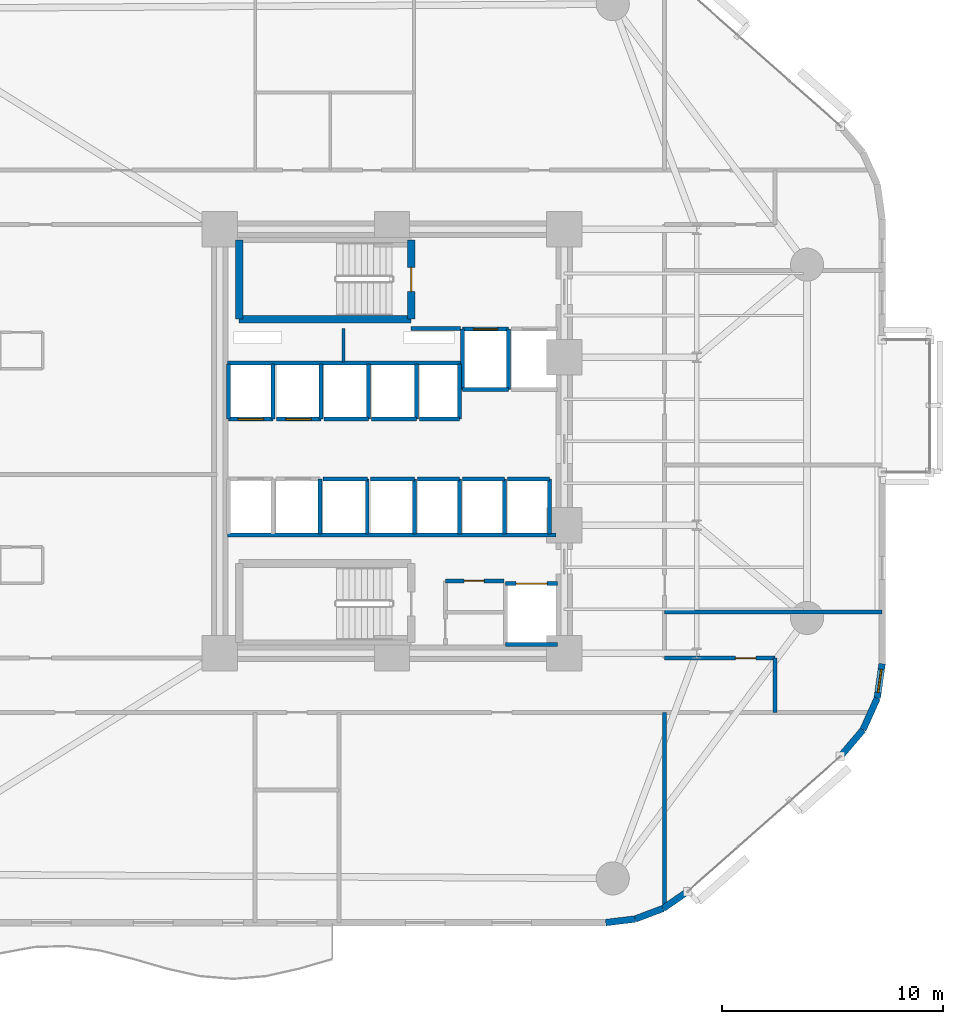
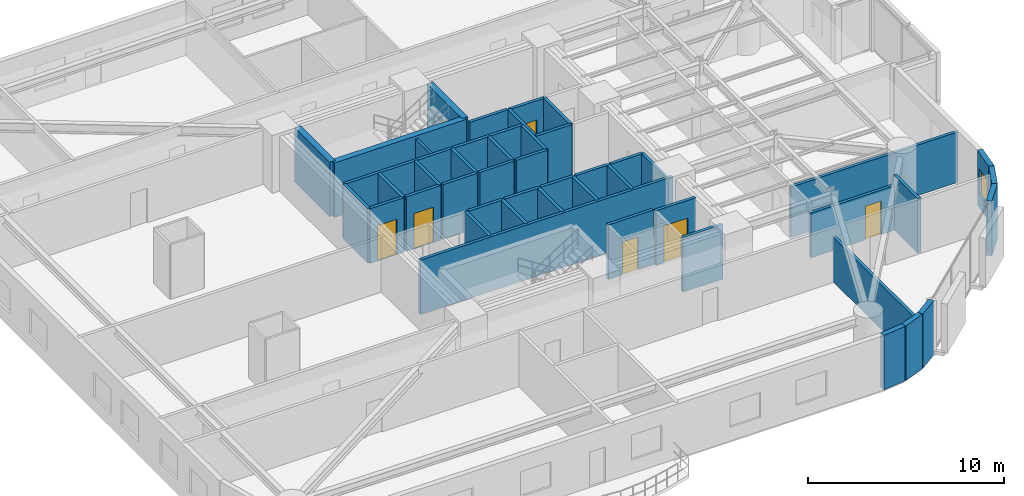
# One storey, part 11 of 16: 46 walls, 7 doors, 1 window, 8 openings.
"""IFC4 building model written with IfcOpenShell, lengths in metres."""

from ifc_helpers import new_model, si_unit, direction, frame, frame_2d, origin, place, context, subcontext, project, spatial, rectangle, extrude, material, layer, layer_set, type_object, element, fill, save


model = new_model("IFC4")

# Units and contexts
model_context = context("Model", 3, precision=1e-05, world=origin(), true_north=direction((0.0, 1.0)))
body_context = subcontext(model_context, "Body", "Model", "MODEL_VIEW")
ifc_project = project(units=[si_unit("LENGTHUNIT", "METRE"), si_unit("AREAUNIT", "SQUARE_METRE"), si_unit("VOLUMEUNIT", "CUBIC_METRE"), si_unit("PLANEANGLEUNIT", "RADIAN"), si_unit("MASSUNIT", "GRAM", prefix="KILO")], contexts=[model_context])

# Site, building, storey
site_placement = place(None, origin())
site = spatial("IfcSite", under=ifc_project, at=site_placement, CompositionType="ELEMENT")
building_placement = place(site_placement, origin())
building = spatial("IfcBuilding", under=site, at=building_placement, Name="An Khanh Terracotta Commons", CompositionType="ELEMENT")
storey_placement = place(building_placement, frame((0.0, 0.0, 46.800048828125)))
storey = spatial("IfcBuildingStorey", under=building, at=storey_placement, Name="L12", CompositionType="ELEMENT", Elevation=46.800048828125)

# Walls
ifc_material_1 = material(Name="Fire-Rated Gypsum Board on Steel Stud", Category="steel")
ifc_layer_1 = layer(ifc_material_1, 0.179931640625, Name="Fire-Rated Gypsum Board on Steel Stud")
ifc_layer_set_1 = layer_set([ifc_layer_1], Name="Fire-Rated Gypsum Board on Steel Stud")
wall_type_1 = type_object("IfcWallType", Name="WALL-CORR-180", PredefinedType="PARTITIONING", material=ifc_layer_set_1)
wall_1_placement = place(storey_placement, frame((30.27001953125, 29.1201171875, 0.0), z_axis=(0.0, 0.0, 1.0), x_axis=(1.0, 0.0, 0.0)))
element("IfcWall", 1, at=wall_1_placement, inside=storey, type_object=wall_type_1, Name="L12 Core Wall FFLW-L12-S", PredefinedType="PARTITIONING", context=body_context, shape_type="SweptSolid", body=[
    extrude(rectangle(XDim=2.239990234375, YDim=0.179931640625, at=frame_2d((1.1201171875, 0.0))), origin(), (0.0, 0.0, 1.0), 3.39990234375),
])
wall_2_placement = place(storey_placement, frame((21.949951171875, 27.5400390625, 0.0), z_axis=(0.0, 0.0, 1.0), x_axis=(1.0, 0.0, 0.0)))
element("IfcWall", 2, at=wall_2_placement, inside=storey, type_object=wall_type_1, Name="L12 Core Wall RSRW-L12-S", PredefinedType="PARTITIONING", context=body_context, shape_type="SweptSolid", body=[
    extrude(rectangle(XDim=10.56005859375, YDim=0.179931640625, at=frame_2d((5.280029296875, 0.0))), origin(), (0.0, 0.0, 1.0), 3.39990234375),
])
wall_3_placement = place(storey_placement, frame((21.949951171875, 19.760009765625, 0.0), z_axis=(0.0, 0.0, 1.0), x_axis=(1.0, 0.0, 0.0)))
element("IfcWall", 3, at=wall_3_placement, inside=storey, type_object=wall_type_1, Name="L12 Core Wall SVW-L12-N", PredefinedType="PARTITIONING", context=body_context, shape_type="SweptSolid", body=[
    extrude(rectangle(XDim=14.8701171875, YDim=0.179931640625, at=frame_2d((7.43505859375, 0.0))), origin(), (0.0, 0.0, 1.0), 3.39990234375),
])

# Wall, opening, door
wall_4_placement = place(storey_placement, frame((31.820068359375, 17.679931640625, 0.0), z_axis=(0.0, 0.0, 1.0), x_axis=(1.0, 0.0, 0.0)))
wall_4 = element("IfcWall", 4, at=wall_4_placement, inside=storey, type_object=wall_type_1, Name="L12 Core Wall SSVCW-L12-N", PredefinedType="PARTITIONING", context=body_context, shape_type="SweptSolid", body=[
    extrude(rectangle(XDim=2.659912109375, YDim=0.179931640625, at=frame_2d((1.330078125, 0.0))), origin(), (0.0, 0.0, 1.0), 3.39990234375),
])
opening_1_placement = place(wall_4_placement, frame((0.85009765625, 0.0, 0.0)))
opening_1 = element("IfcOpeningElement", 5, at=opening_1_placement, cuts=wall_4, Name="Opening D-SV", PredefinedType="OPENING", context=body_context, shape_type="SweptSolid", body=[
    extrude(rectangle(XDim=0.89990234375, YDim=2.050048828125, at=frame_2d((0.449951171875, 1.02490234375))), frame((0.0, 0.099853515625, 0.0), z_axis=(0.0, -1.0, 0.0), x_axis=(1.0, 0.0, 0.0)), (0.0, 0.0, 1.0), 0.199951171875),
])
ifc_material_2 = material(Name="Fire-Rated Powder-Coated Steel Door", Category="steel")
door_type_1 = type_object("IfcDoorType", Name="DOOR-SERV-900", OperationType="NOTDEFINED", PredefinedType="DOOR", material=ifc_material_2)
door_1_placement = place(opening_1_placement, origin())
door_1 = element("IfcDoor", 6, at=door_1_placement, inside=storey, type_object=door_type_1, Name="L12 Core Cleaner Store Door", OperationType="SINGLE_SWING_LEFT", OverallHeight=2.050048828125, OverallWidth=0.89990234375, PredefinedType="DOOR", context=body_context, shape_type="SweptSolid", body=[
    extrude(rectangle(XDim=0.89990234375, YDim=2.050048828125, at=frame_2d((0.449951171875, 1.02490234375))), frame((0.0, 0.02490234375, 0.0), z_axis=(0.0, -1.0, 0.0), x_axis=(1.0, 0.0, 0.0)), (0.0, 0.0, 1.0), 0.050048828125),
])
fill(opening_1, door_1)

wall_5_placement = place(storey_placement, frame((32.60009765625, 29.080078125, 0.0), z_axis=(0.0, 0.0, 1.0), x_axis=(1.0, 0.0, 0.0)))
wall_5 = element("IfcWall", 7, at=wall_5_placement, inside=storey, type_object=wall_type_1, Name="L12 Core Wall LSH-L12-FFL-01-N", PredefinedType="PARTITIONING", context=body_context, shape_type="SweptSolid", body=[
    extrude(rectangle(XDim=2.079833984375, YDim=0.179931640625, at=frame_2d((1.0400390625, 0.0))), origin(), (0.0, 0.0, 1.0), 3.39990234375),
])
opening_2_placement = place(wall_5_placement, frame((0.489990234375, 0.0, 0.0)))
opening_2 = element("IfcOpeningElement", 8, at=opening_2_placement, cuts=wall_5, Name="Opening LD-FFL-01-L12", PredefinedType="OPENING", context=body_context, shape_type="SweptSolid", body=[
    extrude(rectangle(XDim=1.10009765625, YDim=2.199951171875, at=frame_2d((0.550048828125, 1.10009765625))), frame((0.0, 0.099853515625, 0.0), z_axis=(0.0, -1.0, 0.0), x_axis=(1.0, 0.0, 0.0)), (0.0, 0.0, 1.0), 0.199951171875),
])
ifc_material_3 = material(Name="Brushed Stainless Steel Fire Landing Door", Category="steel")
door_type_2 = type_object("IfcDoorType", Name="DOOR-LD-FFL-1100", OperationType="NOTDEFINED", PredefinedType="DOOR", material=ifc_material_3)
door_2_placement = place(opening_2_placement, origin())
door_2 = element("IfcDoor", 9, at=door_2_placement, inside=storey, type_object=door_type_2, Name="L12 Lift FFL-01 Sliding Landing Door", OperationType="DOUBLE_DOOR_SLIDING", OverallHeight=2.199951171875, OverallWidth=1.10009765625, PredefinedType="DOOR", context=body_context, shape_type="SweptSolid", body=[
    extrude(rectangle(XDim=1.10009765625, YDim=2.199951171875, at=frame_2d((0.550048828125, 1.10009765625))), frame((0.0, 0.02490234375, 0.0), z_axis=(0.0, -1.0, 0.0), x_axis=(1.0, 0.0, 0.0)), (0.0, 0.0, 1.0), 0.050048828125),
])
fill(opening_2, door_2)

# Walls
wall_6_placement = place(storey_placement, frame((34.679931640625, 26.35009765625, 0.0), z_axis=(0.0, 0.0, 1.0), x_axis=(-1.0, 0.0, 0.0)))
element("IfcWall", 10, at=wall_6_placement, inside=storey, type_object=wall_type_1, Name="L12 Core Wall LSH-L12-FFL-01-S", PredefinedType="PARTITIONING", context=body_context, shape_type="SweptSolid", body=[
    extrude(rectangle(XDim=2.079833984375, YDim=0.179931640625, at=frame_2d((1.0400390625, 0.0))), origin(), (0.0, 0.0, 1.0), 3.39990234375),
])
for number, where, z_axis, x_axis, name in (
    (11, (34.679931640625, 26.35009765625, 0.0), (0.0, 0.0, 1.0), (0.0, 1.0, 0.0), "L12 Core Wall LSH-L12-FFL-01-E"),
    (12, (32.60009765625, 29.080078125, 0.0), (0.0, 0.0, 1.0), (0.0, -1.0, 0.0), "L12 Core Wall LSH-L12-FFL-01-W"),
):
    element("IfcWall", number, at=place(storey_placement, frame(where, z_axis=z_axis, x_axis=x_axis)), inside=storey, type_object=wall_type_1, Name=name, PredefinedType="PARTITIONING", context=body_context, shape_type="SweptSolid", body=[
        extrude(rectangle(XDim=2.72998046875, YDim=0.179931640625, at=frame_2d((1.364990234375, 0.0))), origin(), (0.0, 0.0, 1.0), 3.39990234375),
    ])

# Wall, opening, door
wall_7_placement = place(storey_placement, frame((34.550048828125, 17.550048828125, 0.0), z_axis=(0.0, 0.0, 1.0), x_axis=(1.0, 0.0, 0.0)))
wall_7 = element("IfcWall", 13, at=wall_7_placement, inside=storey, type_object=wall_type_1, Name="L12 Core Wall LSH-L12-SVL-01-N", PredefinedType="PARTITIONING", context=body_context, shape_type="SweptSolid", body=[
    extrude(rectangle(XDim=2.349853515625, YDim=0.179931640625, at=frame_2d((1.1748046875, 0.0))), origin(), (0.0, 0.0, 1.0), 3.39990234375),
])
opening_3_placement = place(wall_7_placement, frame((0.47509765625, 0.0, 0.0)))
opening_3 = element("IfcOpeningElement", 14, at=opening_3_placement, cuts=wall_7, Name="Opening LD-SVL-01-L12", PredefinedType="OPENING", context=body_context, shape_type="SweptSolid", body=[
    extrude(rectangle(XDim=1.39990234375, YDim=2.300048828125, at=frame_2d((0.699951171875, 1.14990234375))), frame((0.0, 0.099853515625, 0.0), z_axis=(0.0, -1.0, 0.0), x_axis=(1.0, 0.0, 0.0)), (0.0, 0.0, 1.0), 0.199951171875),
])
ifc_material_4 = material(Name="Heavy-Duty Stainless Steel Goods Landing Door", Category="steel")
door_type_3 = type_object("IfcDoorType", Name="DOOR-LD-SVL-1400", OperationType="NOTDEFINED", PredefinedType="DOOR", material=ifc_material_4)
door_3_placement = place(opening_3_placement, origin())
door_3 = element("IfcDoor", 15, at=door_3_placement, inside=storey, type_object=door_type_3, Name="L12 Lift SVL-01 Sliding Landing Door", OperationType="DOUBLE_DOOR_SLIDING", OverallHeight=2.300048828125, OverallWidth=1.39990234375, PredefinedType="DOOR", context=body_context, shape_type="SweptSolid", body=[
    extrude(rectangle(XDim=1.39990234375, YDim=2.300048828125, at=frame_2d((0.699951171875, 1.14990234375))), frame((0.0, 0.02490234375, 0.0), z_axis=(0.0, -1.0, 0.0), x_axis=(1.0, 0.0, 0.0)), (0.0, 0.0, 1.0), 0.050048828125),
])
fill(opening_3, door_3)

# Wall
wall_8_placement = place(storey_placement, frame((36.89990234375, 14.800048828125, 0.0), z_axis=(0.0, 0.0, 1.0), x_axis=(-1.0, 0.0, 0.0)))
element("IfcWall", 16, at=wall_8_placement, inside=storey, type_object=wall_type_1, Name="L12 Core Wall LSH-L12-SVL-01-S", PredefinedType="PARTITIONING", context=body_context, shape_type="SweptSolid", body=[
    extrude(rectangle(XDim=2.349853515625, YDim=0.179931640625, at=frame_2d((1.1748046875, 0.0))), origin(), (0.0, 0.0, 1.0), 3.39990234375),
])

# Wall, opening, door
wall_9_placement = place(storey_placement, frame((24.02001953125, 25.0, 0.0), z_axis=(0.0, 0.0, 1.0), x_axis=(-1.0, 0.0, 0.0)))
wall_9 = element("IfcWall", 17, at=wall_9_placement, inside=storey, type_object=wall_type_1, Name="L12 Core Wall LSH-L12-PL-L1-S", PredefinedType="PARTITIONING", context=body_context, shape_type="SweptSolid", body=[
    extrude(rectangle(XDim=2.02001953125, YDim=0.179931640625, at=frame_2d((1.010009765625, 0.0))), origin(), (0.0, 0.0, 1.0), 3.39990234375),
])
opening_4_placement = place(wall_9_placement, frame((0.43505859375, 0.0, 0.0)))
opening_4 = element("IfcOpeningElement", 18, at=opening_4_placement, cuts=wall_9, Name="Opening LD-PL-L1-L12", PredefinedType="OPENING", context=body_context, shape_type="SweptSolid", body=[
    extrude(rectangle(XDim=1.14990234375, YDim=2.199951171875, at=frame_2d((0.574951171875, 1.10009765625))), frame((0.0, 0.099853515625, 0.0), z_axis=(0.0, -1.0, 0.0), x_axis=(1.0, 0.0, 0.0)), (0.0, 0.0, 1.0), 0.199951171875),
])
ifc_material_5 = material(Name="Brushed Stainless Steel Passenger Landing Door", Category="steel")
door_type_4 = type_object("IfcDoorType", Name="DOOR-LD-PAX-1150", OperationType="NOTDEFINED", PredefinedType="DOOR", material=ifc_material_5)
door_4_placement = place(opening_4_placement, origin())
door_4 = element("IfcDoor", 19, at=door_4_placement, inside=storey, type_object=door_type_4, Name="L12 Lift PL-L1 Sliding Landing Door", OperationType="DOUBLE_DOOR_SLIDING", OverallHeight=2.199951171875, OverallWidth=1.14990234375, PredefinedType="DOOR", context=body_context, shape_type="SweptSolid", body=[
    extrude(rectangle(XDim=1.14990234375, YDim=2.199951171875, at=frame_2d((0.574951171875, 1.10009765625))), frame((0.0, 0.02490234375, 0.0), z_axis=(0.0, -1.0, 0.0), x_axis=(1.0, 0.0, 0.0)), (0.0, 0.0, 1.0), 0.050048828125),
])
fill(opening_4, door_4)

# Walls
for number, where, z_axis, x_axis, name in (
    (20, (24.02001953125, 25.0, 0.0), (0.0, 0.0, 1.0), (0.0, 1.0, 0.0), "L12 Core Wall LSH-L12-PL-L1-E"),
    (21, (22.0, 27.5, 0.0), (0.0, 0.0, 1.0), (0.0, -1.0, 0.0), "L12 Core Wall LSH-L12-PL-L1-W"),
):
    element("IfcWall", number, at=place(storey_placement, frame(where, z_axis=z_axis, x_axis=x_axis)), inside=storey, type_object=wall_type_1, Name=name, PredefinedType="PARTITIONING", context=body_context, shape_type="SweptSolid", body=[
        extrude(rectangle(XDim=2.5, YDim=0.179931640625, at=frame_2d((1.25, 0.0))), origin(), (0.0, 0.0, 1.0), 3.39990234375),
    ])

# Wall, opening, door
wall_10_placement = place(storey_placement, frame((26.179931640625, 25.0, 0.0), z_axis=(0.0, 0.0, 1.0), x_axis=(-1.0, 0.0, 0.0)))
wall_10 = element("IfcWall", 22, at=wall_10_placement, inside=storey, type_object=wall_type_1, Name="L12 Core Wall LSH-L12-PL-L2-S", PredefinedType="PARTITIONING", context=body_context, shape_type="SweptSolid", body=[
    extrude(rectangle(XDim=2.02001953125, YDim=0.179931640625, at=frame_2d((1.010009765625, 0.0))), origin(), (0.0, 0.0, 1.0), 3.39990234375),
])
opening_5_placement = place(wall_10_placement, frame((0.43505859375, 0.0, 0.0)))
opening_5 = element("IfcOpeningElement", 23, at=opening_5_placement, cuts=wall_10, Name="Opening LD-PL-L2-L12", PredefinedType="OPENING", context=body_context, shape_type="SweptSolid", body=[
    extrude(rectangle(XDim=1.14990234375, YDim=2.199951171875, at=frame_2d((0.574951171875, 1.10009765625))), frame((0.0, 0.099853515625, 0.0), z_axis=(0.0, -1.0, 0.0), x_axis=(1.0, 0.0, 0.0)), (0.0, 0.0, 1.0), 0.199951171875),
])
door_5_placement = place(opening_5_placement, origin())
door_5 = element("IfcDoor", 24, at=door_5_placement, inside=storey, type_object=door_type_4, Name="L12 Lift PL-L2 Sliding Landing Door", OperationType="DOUBLE_DOOR_SLIDING", OverallHeight=2.199951171875, OverallWidth=1.14990234375, PredefinedType="DOOR", context=body_context, shape_type="SweptSolid", body=[
    extrude(rectangle(XDim=1.14990234375, YDim=2.199951171875, at=frame_2d((0.574951171875, 1.10009765625))), frame((0.0, 0.02490234375, 0.0), z_axis=(0.0, -1.0, 0.0), x_axis=(1.0, 0.0, 0.0)), (0.0, 0.0, 1.0), 0.050048828125),
])
fill(opening_5, door_5)

# Walls
for number, where, z_axis, x_axis, name in (
    (25, (26.179931640625, 25.0, 0.0), (0.0, 0.0, 1.0), (0.0, 1.0, 0.0), "L12 Core Wall LSH-L12-PL-L2-E"),
    (26, (26.139892578125, 19.800048828125, 0.0), (0.0, 0.0, 1.0), (0.0, 1.0, 0.0), "L12 Core Wall LSH-L12-PL-L4-E"),
):
    element("IfcWall", number, at=place(storey_placement, frame(where, z_axis=z_axis, x_axis=x_axis)), inside=storey, type_object=wall_type_1, Name=name, PredefinedType="PARTITIONING", context=body_context, shape_type="SweptSolid", body=[
        extrude(rectangle(XDim=2.5, YDim=0.179931640625, at=frame_2d((1.25, 0.0))), origin(), (0.0, 0.0, 1.0), 3.39990234375),
    ])
wall_11_placement = place(storey_placement, frame((28.340087890625, 25.0, 0.0), z_axis=(0.0, 0.0, 1.0), x_axis=(-1.0, 0.0, 0.0)))
element("IfcWall", 27, at=wall_11_placement, inside=storey, type_object=wall_type_1, Name="L12 Core Wall LSH-L12-PL-M1-S", PredefinedType="PARTITIONING", context=body_context, shape_type="SweptSolid", body=[
    extrude(rectangle(XDim=2.02001953125, YDim=0.179931640625, at=frame_2d((1.010009765625, 0.0))), origin(), (0.0, 0.0, 1.0), 3.39990234375),
])
wall_12_placement = place(storey_placement, frame((28.340087890625, 25.0, 0.0), z_axis=(0.0, 0.0, 1.0), x_axis=(0.0, 1.0, 0.0)))
element("IfcWall", 28, at=wall_12_placement, inside=storey, type_object=wall_type_1, Name="L12 Core Wall LSH-L12-PL-M1-E", PredefinedType="PARTITIONING", context=body_context, shape_type="SweptSolid", body=[
    extrude(rectangle(XDim=2.5, YDim=0.179931640625, at=frame_2d((1.25, 0.0))), origin(), (0.0, 0.0, 1.0), 3.39990234375),
])
wall_13_placement = place(storey_placement, frame((30.5, 25.0, 0.0), z_axis=(0.0, 0.0, 1.0), x_axis=(-1.0, 0.0, 0.0)))
element("IfcWall", 29, at=wall_13_placement, inside=storey, type_object=wall_type_1, Name="L12 Core Wall LSH-L12-PL-M2-S", PredefinedType="PARTITIONING", context=body_context, shape_type="SweptSolid", body=[
    extrude(rectangle(XDim=2.02001953125, YDim=0.179931640625, at=frame_2d((1.010009765625, 0.0))), origin(), (0.0, 0.0, 1.0), 3.39990234375),
])
wall_14_placement = place(storey_placement, frame((30.5, 25.0, 0.0), z_axis=(0.0, 0.0, 1.0), x_axis=(0.0, 1.0, 0.0)))
element("IfcWall", 30, at=wall_14_placement, inside=storey, type_object=wall_type_1, Name="L12 Core Wall LSH-L12-PL-M2-E", PredefinedType="PARTITIONING", context=body_context, shape_type="SweptSolid", body=[
    extrude(rectangle(XDim=2.5, YDim=0.179931640625, at=frame_2d((1.25, 0.0))), origin(), (0.0, 0.0, 1.0), 3.39990234375),
])
wall_15_placement = place(storey_placement, frame((26.280029296875, 22.300048828125, 0.0), z_axis=(0.0, 0.0, 1.0), x_axis=(1.0, 0.0, 0.0)))
element("IfcWall", 31, at=wall_15_placement, inside=storey, type_object=wall_type_1, Name="L12 Core Wall LSH-L12-PL-M3-N", PredefinedType="PARTITIONING", context=body_context, shape_type="SweptSolid", body=[
    extrude(rectangle(XDim=2.0, YDim=0.179931640625, at=frame_2d((1.0, 0.0))), origin(), (0.0, 0.0, 1.0), 3.39990234375),
])
wall_16_placement = place(storey_placement, frame((28.280029296875, 19.800048828125, 0.0), z_axis=(0.0, 0.0, 1.0), x_axis=(0.0, 1.0, 0.0)))
element("IfcWall", 32, at=wall_16_placement, inside=storey, type_object=wall_type_1, Name="L12 Core Wall LSH-L12-PL-M3-E", PredefinedType="PARTITIONING", context=body_context, shape_type="SweptSolid", body=[
    extrude(rectangle(XDim=2.5, YDim=0.179931640625, at=frame_2d((1.25, 0.0))), origin(), (0.0, 0.0, 1.0), 3.39990234375),
])
wall_17_placement = place(storey_placement, frame((28.419921875, 22.300048828125, 0.0), z_axis=(0.0, 0.0, 1.0), x_axis=(1.0, 0.0, 0.0)))
element("IfcWall", 33, at=wall_17_placement, inside=storey, type_object=wall_type_1, Name="L12 Core Wall LSH-L12-PL-M4-N", PredefinedType="PARTITIONING", context=body_context, shape_type="SweptSolid", body=[
    extrude(rectangle(XDim=2.0, YDim=0.179931640625, at=frame_2d((1.0, 0.0))), origin(), (0.0, 0.0, 1.0), 3.39990234375),
])
wall_18_placement = place(storey_placement, frame((30.419921875, 19.800048828125, 0.0), z_axis=(0.0, 0.0, 1.0), x_axis=(0.0, 1.0, 0.0)))
element("IfcWall", 34, at=wall_18_placement, inside=storey, type_object=wall_type_1, Name="L12 Core Wall LSH-L12-PL-M4-E", PredefinedType="PARTITIONING", context=body_context, shape_type="SweptSolid", body=[
    extrude(rectangle(XDim=2.5, YDim=0.179931640625, at=frame_2d((1.25, 0.0))), origin(), (0.0, 0.0, 1.0), 3.39990234375),
])
wall_19_placement = place(storey_placement, frame((32.4599609375, 25.0, 0.0), z_axis=(0.0, 0.0, 1.0), x_axis=(-1.0, 0.0, 0.0)))
element("IfcWall", 35, at=wall_19_placement, inside=storey, type_object=wall_type_1, Name="L12 Core Wall LSH-L12-PL-H1-S", PredefinedType="PARTITIONING", context=body_context, shape_type="SweptSolid", body=[
    extrude(rectangle(XDim=1.820068359375, YDim=0.179931640625, at=frame_2d((0.91015625, 0.0))), origin(), (0.0, 0.0, 1.0), 3.39990234375),
])
wall_20_placement = place(storey_placement, frame((32.4599609375, 25.0, 0.0), z_axis=(0.0, 0.0, 1.0), x_axis=(0.0, 1.0, 0.0)))
element("IfcWall", 36, at=wall_20_placement, inside=storey, type_object=wall_type_1, Name="L12 Core Wall LSH-L12-PL-H1-E", PredefinedType="PARTITIONING", context=body_context, shape_type="SweptSolid", body=[
    extrude(rectangle(XDim=2.5, YDim=0.179931640625, at=frame_2d((1.25, 0.0))), origin(), (0.0, 0.0, 1.0), 3.39990234375),
])
wall_21_placement = place(storey_placement, frame((30.56005859375, 22.300048828125, 0.0), z_axis=(0.0, 0.0, 1.0), x_axis=(1.0, 0.0, 0.0)))
element("IfcWall", 37, at=wall_21_placement, inside=storey, type_object=wall_type_1, Name="L12 Core Wall LSH-L12-PL-H2-N", PredefinedType="PARTITIONING", context=body_context, shape_type="SweptSolid", body=[
    extrude(rectangle(XDim=1.89990234375, YDim=0.179931640625, at=frame_2d((0.949951171875, 0.0))), origin(), (0.0, 0.0, 1.0), 3.39990234375),
])
wall_22_placement = place(storey_placement, frame((32.4599609375, 19.800048828125, 0.0), z_axis=(0.0, 0.0, 1.0), x_axis=(0.0, 1.0, 0.0)))
element("IfcWall", 38, at=wall_22_placement, inside=storey, type_object=wall_type_1, Name="L12 Core Wall LSH-L12-PL-H2-E", PredefinedType="PARTITIONING", context=body_context, shape_type="SweptSolid", body=[
    extrude(rectangle(XDim=2.5, YDim=0.179931640625, at=frame_2d((1.25, 0.0))), origin(), (0.0, 0.0, 1.0), 3.39990234375),
])
wall_23_placement = place(storey_placement, frame((32.60009765625, 22.300048828125, 0.0), z_axis=(0.0, 0.0, 1.0), x_axis=(1.0, 0.0, 0.0)))
element("IfcWall", 39, at=wall_23_placement, inside=storey, type_object=wall_type_1, Name="L12 Core Wall LSH-L12-PL-H3-N", PredefinedType="PARTITIONING", context=body_context, shape_type="SweptSolid", body=[
    extrude(rectangle(XDim=1.89990234375, YDim=0.179931640625, at=frame_2d((0.949951171875, 0.0))), origin(), (0.0, 0.0, 1.0), 3.39990234375),
])
wall_24_placement = place(storey_placement, frame((34.5, 19.800048828125, 0.0), z_axis=(0.0, 0.0, 1.0), x_axis=(0.0, 1.0, 0.0)))
element("IfcWall", 40, at=wall_24_placement, inside=storey, type_object=wall_type_1, Name="L12 Core Wall LSH-L12-PL-H3-E", PredefinedType="PARTITIONING", context=body_context, shape_type="SweptSolid", body=[
    extrude(rectangle(XDim=2.5, YDim=0.179931640625, at=frame_2d((1.25, 0.0))), origin(), (0.0, 0.0, 1.0), 3.39990234375),
])
wall_25_placement = place(storey_placement, frame((34.639892578125, 22.300048828125, 0.0), z_axis=(0.0, 0.0, 1.0), x_axis=(1.0, 0.0, 0.0)))
element("IfcWall", 41, at=wall_25_placement, inside=storey, type_object=wall_type_1, Name="L12 Core Wall LSH-L12-PL-H4-N", PredefinedType="PARTITIONING", context=body_context, shape_type="SweptSolid", body=[
    extrude(rectangle(XDim=1.900146484375, YDim=0.179931640625, at=frame_2d((0.9501953125, 0.0))), origin(), (0.0, 0.0, 1.0), 3.39990234375),
])
wall_26_placement = place(storey_placement, frame((36.5400390625, 19.800048828125, 0.0), z_axis=(0.0, 0.0, 1.0), x_axis=(0.0, 1.0, 0.0)))
element("IfcWall", 42, at=wall_26_placement, inside=storey, type_object=wall_type_1, Name="L12 Core Wall LSH-L12-PL-H4-E", PredefinedType="PARTITIONING", context=body_context, shape_type="SweptSolid", body=[
    extrude(rectangle(XDim=2.5, YDim=0.179931640625, at=frame_2d((1.25, 0.0))), origin(), (0.0, 0.0, 1.0), 3.39990234375),
])

# Wall, opening, door
wall_27_placement = place(storey_placement, frame((41.75, 14.179931640625, 0.0), z_axis=(0.0, 0.0, 1.0), x_axis=(1.0, 0.0, 0.0)))
wall_27 = element("IfcWall", 43, at=wall_27_placement, inside=storey, type_object=wall_type_1, Name="L12 Interior Partition IW-L12-E004", PredefinedType="PARTITIONING", context=body_context, shape_type="SweptSolid", body=[
    extrude(rectangle(XDim=5.0, YDim=0.179931640625, at=frame_2d((2.5, 0.0))), origin(), (0.0, 0.0, 1.0), 2.781982421875),
])
opening_6_placement = place(wall_27_placement, frame((3.208984375, 0.0, 0.0)))
opening_6 = element("IfcOpeningElement", 44, at=opening_6_placement, cuts=wall_27, Name="Opening D-RM", PredefinedType="OPENING", context=body_context, shape_type="SweptSolid", body=[
    extrude(rectangle(XDim=0.919921875, YDim=2.10009765625, at=frame_2d((0.4599609375, 1.050048828125))), frame((0.0, 0.099853515625, 0.0), z_axis=(0.0, -1.0, 0.0), x_axis=(1.0, 0.0, 0.0)), (0.0, 0.0, 1.0), 0.199951171875),
])
ifc_material_6 = material(Name="Engineered Hardwood Timber Leaf", Category="wood")
door_type_5 = type_object("IfcDoorType", Name="DOOR-INT-920", OperationType="NOTDEFINED", PredefinedType="DOOR", material=ifc_material_6)
door_6_placement = place(opening_6_placement, origin())
door_6 = element("IfcDoor", 45, at=door_6_placement, inside=storey, type_object=door_type_5, Name="L12 FAN1 Co-Living Private Bedroom Door", OperationType="SINGLE_SWING_RIGHT", OverallHeight=2.10009765625, OverallWidth=0.919921875, PredefinedType="DOOR", context=body_context, shape_type="SweptSolid", body=[
    extrude(rectangle(XDim=0.919921875, YDim=2.10009765625, at=frame_2d((0.4599609375, 1.050048828125))), frame((0.0, 0.02490234375, 0.0), z_axis=(0.0, -1.0, 0.0), x_axis=(1.0, 0.0, 0.0)), (0.0, 0.0, 1.0), 0.050048828125),
])
fill(opening_6, door_6)

# Walls
wall_28_placement = place(storey_placement, frame((41.75, 16.258056640625, 0.0), z_axis=(0.0, 0.0, 1.0), x_axis=(1.0, 0.0, 0.0)))
element("IfcWall", 46, at=wall_28_placement, inside=storey, type_object=wall_type_1, Name="L12 Interior Partition IW-L12-E005", PredefinedType="PARTITIONING", context=body_context, shape_type="SweptSolid", body=[
    extrude(rectangle(XDim=9.85009765625, YDim=0.179931640625, at=frame_2d((4.925048828125, 0.0))), origin(), (0.0, 0.0, 1.0), 3.141845703125),
])
wall_29_placement = place(storey_placement, frame((41.75, 2.888916015625, 0.0), z_axis=(0.0, 0.0, 1.0), x_axis=(0.0, 1.0, 0.0)))
element("IfcWall", 47, at=wall_29_placement, inside=storey, type_object=wall_type_1, Name="L12 Interior Partition IW-L12-E021", PredefinedType="PARTITIONING", context=body_context, shape_type="SweptSolid", body=[
    extrude(rectangle(XDim=8.8310546875, YDim=0.179931640625, at=frame_2d((4.41552734375, 0.0))), origin(), (0.0, 0.0, 1.0), 2.781982421875),
])
wall_30_placement = place(storey_placement, frame((46.75, 11.719970703125, 0.0), z_axis=(0.0, 0.0, 1.0), x_axis=(0.0, 1.0, 0.0)))
element("IfcWall", 48, at=wall_30_placement, inside=storey, type_object=wall_type_1, Name="L12 Interior Partition IW-L12-E024", PredefinedType="PARTITIONING", context=body_context, shape_type="SweptSolid", body=[
    extrude(rectangle(XDim=2.4599609375, YDim=0.179931640625, at=frame_2d((1.22998046875, 0.0))), origin(), (0.0, 0.0, 1.0), 3.39990234375),
])
ifc_material_7 = material(Name="Precast concrete C40/50", Category="concrete")
ifc_layer_2 = layer(ifc_material_7, 0.300048828125, Name="Precast concrete C40/50")
ifc_layer_set_2 = layer_set([ifc_layer_2], Name="Precast concrete C40/50")
wall_type_2 = type_object("IfcWallType", Name="WALL-EXT-300", PredefinedType="SOLIDWALL", material=ifc_layer_set_2)
wall_31_placement = place(storey_placement, frame((39.0791015625, 2.199951171875, 0.0), z_axis=(0.0, 0.0, 1.0), x_axis=(0.992739027259, 0.120288086515, 0.0)))
element("IfcWall", 49, at=wall_31_placement, inside=storey, type_object=wall_type_2, Name="L12 Insulated Terracotta Exterior Wall 5", PredefinedType="SOLIDWALL", context=body_context, shape_type="SweptSolid", body=[
    extrude(rectangle(XDim=1.34765625, YDim=0.300048828125, at=frame_2d((0.673828125, 0.0))), origin(), (0.0, 0.0, 1.0), 3.39990234375),
])
wall_32_placement = place(storey_placement, frame((40.4169921875, 2.362060546875, 0.0), z_axis=(0.0, 0.0, 1.0), x_axis=(0.935156721165, 0.354234254216, 0.0)))
element("IfcWall", 50, at=wall_32_placement, inside=storey, type_object=wall_type_2, Name="L12 Insulated Terracotta Exterior Wall 6", PredefinedType="SOLIDWALL", context=body_context, shape_type="SweptSolid", body=[
    extrude(rectangle(XDim=1.349365234375, YDim=0.300048828125, at=frame_2d((0.6748046875, 0.0))), origin(), (0.0, 0.0, 1.0), 3.39990234375),
])
wall_33_placement = place(storey_placement, frame((41.678955078125, 2.840087890625, 0.0), z_axis=(0.0, 0.0, 1.0), x_axis=(0.823116500192, 0.567872544777, 0.0)))
element("IfcWall", 51, at=wall_33_placement, inside=storey, type_object=wall_type_2, Name="L12 Insulated Terracotta Exterior Wall 7", PredefinedType="SOLIDWALL", context=body_context, shape_type="SweptSolid", body=[
    extrude(rectangle(XDim=1.3486328125, YDim=0.300048828125, at=frame_2d((0.67431640625, 0.0))), origin(), (0.0, 0.0, 1.0), 3.39990234375),
])
wall_34_placement = place(storey_placement, frame((49.7099609375, 9.72802734375, 0.0), z_axis=(0.0, 0.0, 1.0), x_axis=(0.648389989909, 0.7613083613, 0.0)))
element("IfcWall", 52, at=wall_34_placement, inside=storey, type_object=wall_type_2, Name="L12 Insulated Terracotta Exterior Wall 9", PredefinedType="SOLIDWALL", context=body_context, shape_type="SweptSolid", body=[
    extrude(rectangle(XDim=1.576171875, YDim=0.300048828125, at=frame_2d((0.7880859375, 0.0))), origin(), (0.0, 0.0, 1.0), 3.39990234375),
])
wall_35_placement = place(storey_placement, frame((50.73193359375, 10.927978515625, 0.0), z_axis=(0.0, 0.0, 1.0), x_axis=(0.410996558744, 0.911636895206, 0.0)))
element("IfcWall", 53, at=wall_35_placement, inside=storey, type_object=wall_type_2, Name="L12 Insulated Terracotta Exterior Wall 10", PredefinedType="SOLIDWALL", context=body_context, shape_type="SweptSolid", body=[
    extrude(rectangle(XDim=1.57421875, YDim=0.300048828125, at=frame_2d((0.787109375, 0.0))), origin(), (0.0, 0.0, 1.0), 3.39990234375),
])

# Wall, opening, window
wall_36_placement = place(storey_placement, frame((51.37890625, 12.363037109375, 0.0), z_axis=(0.0, 0.0, 1.0), x_axis=(0.140380048512, 0.990097693149, 0.0)))
wall_36 = element("IfcWall", 54, at=wall_36_placement, inside=storey, type_object=wall_type_2, Name="L12 Insulated Terracotta Exterior Wall 11", PredefinedType="SOLIDWALL", context=body_context, shape_type="SweptSolid", body=[
    extrude(rectangle(XDim=1.57568359375, YDim=0.300048828125, at=frame_2d((0.787841796875, 0.0))), origin(), (0.0, 0.0, 1.0), 3.39990234375),
])
opening_7_placement = place(wall_36_placement, frame((0.262939453125, 0.0, 0.85009765625)))
opening_7 = element("IfcOpeningElement", 55, at=opening_7_placement, cuts=wall_36, Name="Opening W-06", PredefinedType="OPENING", context=body_context, shape_type="SweptSolid", body=[
    extrude(rectangle(XDim=1.050048828125, YDim=1.550048828125, at=frame_2d((0.52490234375, 0.77490234375))), frame((0.0, 0.159912109375, 0.0), z_axis=(0.0, -1.0, 0.0), x_axis=(1.0, 0.0, 0.0)), (0.0, 0.0, 1.0), 0.320068359375),
])
ifc_material_8 = material(Name="Thermally Broken Aluminium and Low-E Glass", Category="aluminium")
window_type = type_object("IfcWindowType", Name="WIN-COR-1050x1550", PartitioningType="SINGLE_PANEL", PredefinedType="WINDOW", material=ifc_material_8)
window_placement = place(opening_7_placement, origin())
window = element("IfcWindow", 56, at=window_placement, inside=storey, type_object=window_type, Name="L12 L12-FAN1 Dwelling Casement Window", OverallHeight=1.550048828125, OverallWidth=1.050048828125, PartitioningType="SINGLE_PANEL", PredefinedType="WINDOW", context=body_context, shape_type="SweptSolid", body=[
    extrude(rectangle(XDim=1.050048828125, YDim=1.550048828125, at=frame_2d((0.52490234375, 0.77490234375))), frame((0.0, 0.030029296875, 0.0), z_axis=(0.0, -1.0, 0.0), x_axis=(1.0, 0.0, 0.0)), (0.0, 0.0, 1.0), 0.06005859375),
])
fill(opening_7, window)

# Walls
ifc_material_9 = material(Name="Acoustic Gypsum Board Partition")
ifc_layer_3 = layer(ifc_material_9, 0.14990234375, Name="Acoustic Gypsum Board Partition")
ifc_layer_set_3 = layer_set([ifc_layer_3], Name="Acoustic Gypsum Board Partition")
wall_type_3 = type_object("IfcWallType", Name="WALL-PART-150", PredefinedType="PARTITIONING", material=ifc_layer_set_3)
wall_37_placement = place(storey_placement, frame((27.199951171875, 27.60009765625, 0.0), z_axis=(0.0, 0.0, 1.0), x_axis=(0.0, 1.0, 0.0)))
element("IfcWall", 57, at=wall_37_placement, inside=storey, type_object=wall_type_3, Name="L12 Core Wall RSRW-L12-D1", PredefinedType="PARTITIONING", context=body_context, shape_type="SweptSolid", body=[
    extrude(rectangle(XDim=1.52001953125, YDim=0.14990234375, at=frame_2d((0.760009765625, 0.0))), origin(), (0.0, 0.0, 1.0), 3.39990234375),
])
ifc_material_10 = material(Name="Concrete C50/60", Category="concrete")
ifc_layer_4 = layer(ifc_material_10, 0.35009765625, Name="Concrete C50/60")
ifc_layer_set_4 = layer_set([ifc_layer_4], Name="Concrete C50/60")
wall_type_4 = type_object("IfcWallType", Name="WALL-SHAFT-350", PredefinedType="SOLIDWALL", material=ifc_layer_set_4)
wall_38_placement = place(storey_placement, frame((22.47998046875, 29.530029296875, 0.0), z_axis=(0.0, 0.0, 1.0), x_axis=(1.0, 0.0, 0.0)))
element("IfcWall", 58, at=wall_38_placement, inside=storey, type_object=wall_type_4, Name="L12 Core Wall STW-L12-N-S", PredefinedType="SOLIDWALL", context=body_context, shape_type="SweptSolid", body=[
    extrude(rectangle(XDim=7.7900390625, YDim=0.35009765625, at=frame_2d((3.89501953125, 0.0))), origin(), (0.0, 0.0, 1.0), 3.39990234375),
])
wall_39_placement = place(storey_placement, frame((22.47998046875, 29.530029296875, 0.0), z_axis=(0.0, 0.0, 1.0), x_axis=(0.0, 1.0, 0.0)))
element("IfcWall", 59, at=wall_39_placement, inside=storey, type_object=wall_type_4, Name="L12 Core Wall STW-L12-N-W", PredefinedType="SOLIDWALL", context=body_context, shape_type="SweptSolid", body=[
    extrude(rectangle(XDim=3.580078125, YDim=0.35009765625, at=frame_2d((1.7900390625, 0.0))), origin(), (0.0, 0.0, 1.0), 3.39990234375),
])

# Wall, opening, door
wall_40_placement = place(storey_placement, frame((30.27001953125, 29.530029296875, 0.0), z_axis=(0.0, 0.0, 1.0), x_axis=(0.0, 1.0, 0.0)))
wall_40 = element("IfcWall", 60, at=wall_40_placement, inside=storey, type_object=wall_type_4, Name="L12 Core Wall STW-L12-N-E", PredefinedType="SOLIDWALL", context=body_context, shape_type="SweptSolid", body=[
    extrude(rectangle(XDim=3.580078125, YDim=0.35009765625, at=frame_2d((1.7900390625, 0.0))), origin(), (0.0, 0.0, 1.0), 3.39990234375),
])
opening_8_placement = place(wall_40_placement, frame((1.25, 0.0, 0.0)))
opening_8 = element("IfcOpeningElement", 61, at=opening_8_placement, cuts=wall_40, Name="Opening D-ST", PredefinedType="OPENING", context=body_context, shape_type="SweptSolid", body=[
    extrude(rectangle(XDim=1.10009765625, YDim=2.14990234375, at=frame_2d((0.550048828125, 1.074951171875))), frame((0.0, 0.18505859375, 0.0), z_axis=(0.0, -1.0, 0.0), x_axis=(1.0, 0.0, 0.0)), (0.0, 0.0, 1.0), 0.3701171875),
])
ifc_material_11 = material(Name="Fire-Rated Steel Leaf and Frame", Category="steel")
door_type_6 = type_object("IfcDoorType", Name="DOOR-STAIR-1100", OperationType="NOTDEFINED", PredefinedType="DOOR", material=ifc_material_11)
door_7_placement = place(opening_8_placement, origin())
door_7 = element("IfcDoor", 62, at=door_7_placement, inside=storey, type_object=door_type_6, Name="L12 Stair ST-01 Fire Door", OperationType="SINGLE_SWING_LEFT", OverallHeight=2.14990234375, OverallWidth=1.10009765625, PredefinedType="DOOR", context=body_context, shape_type="SweptSolid", body=[
    extrude(rectangle(XDim=1.10009765625, YDim=2.14990234375, at=frame_2d((0.550048828125, 1.074951171875))), frame((0.0, 0.02490234375, 0.0), z_axis=(0.0, -1.0, 0.0), x_axis=(1.0, 0.0, 0.0)), (0.0, 0.0, 1.0), 0.050048828125),
])
fill(opening_8, door_7)

save(model, "model.ifc")
